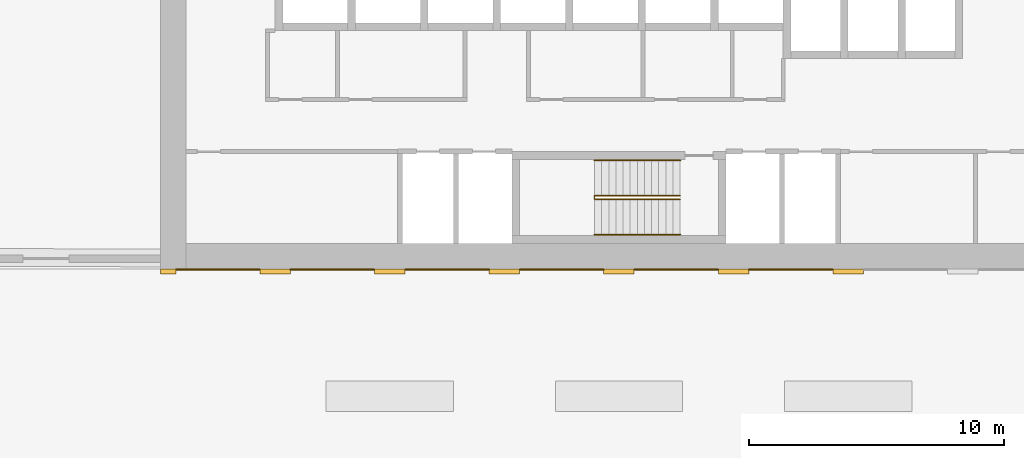
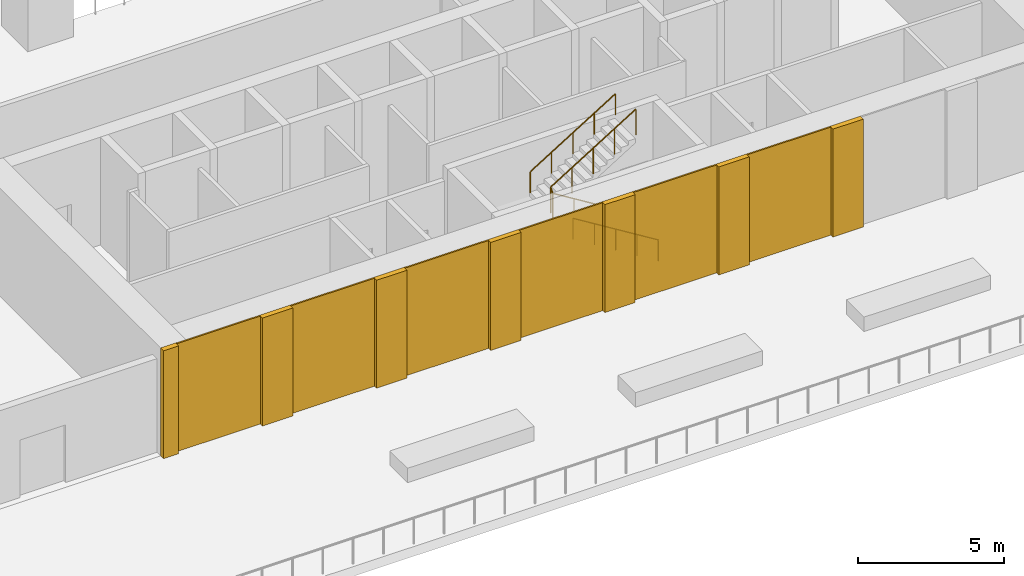
# One storey, part 17 of 19: 13 coverings, 3 railings.
"""IFC4 building model written with IfcOpenShell, lengths in metres."""

from ifc_helpers import new_model, si_unit, direction, frame, origin, origin_2d, place, context, subcontext, project, spatial, rectangle, circle, extrude, material, layer, layer_set, type_object, element, save


model = new_model("IFC4")

# Units and contexts
model_context = context("Model", 3, precision=1e-05, world=origin(), true_north=direction((0.0, 1.0)))
body_context = subcontext(model_context, "Body", "Model", "MODEL_VIEW")
ifc_project = project(units=[si_unit("LENGTHUNIT", "METRE"), si_unit("AREAUNIT", "SQUARE_METRE"), si_unit("VOLUMEUNIT", "CUBIC_METRE"), si_unit("PLANEANGLEUNIT", "RADIAN"), si_unit("MASSUNIT", "GRAM", prefix="KILO")], contexts=[model_context])

# Site, building, storey
site_placement = place(None, origin())
site = spatial("IfcSite", under=ifc_project, at=site_placement, CompositionType="ELEMENT")
building_placement = place(site_placement, origin())
building = spatial("IfcBuilding", under=site, at=building_placement, Name="Brigalow Station Residences", CompositionType="ELEMENT")
storey_placement = place(building_placement, frame((0.0, 0.0, 11.0)))
storey = spatial("IfcBuildingStorey", under=building, at=storey_placement, Name="L02", CompositionType="ELEMENT", Elevation=11.0)

# Coverings
ifc_material_1 = material(Name="Clay brick masonry", Category="masonry")
ifc_layer_1 = layer(ifc_material_1, 0.06005859375)
ifc_layer_set_1 = layer_set([ifc_layer_1], Name="BRICK PANEL FACING 60")
covering_type_1 = type_object("IfcCoveringType", Name="BRICK PANEL FACING 60", PredefinedType="CLADDING", material=ifc_layer_set_1)
for number, where, z_axis, x_axis, name in (
    (1, (20.25, -0.030029296875, 0.0), (0.0, 0.0, 1.0), (1.0, 0.0, 0.0), "L02/rear-facing/panel-1"),
    (2, (24.75, -0.030029296875, 0.0), (0.0, 0.0, 1.0), (1.0, 0.0, 0.0), "L02/rear-facing/panel-2"),
    (3, (29.25, -0.030029296875, 0.0), (0.0, 0.0, 1.0), (1.0, 0.0, 0.0), "L02/rear-facing/panel-3"),
    (4, (33.75, -0.030029296875, 0.0), (0.0, 0.0, 1.0), (1.0, 0.0, 0.0), "L02/rear-facing/panel-4"),
    (5, (38.25, -0.030029296875, 0.0), (0.0, 0.0, 1.0), (1.0, 0.0, 0.0), "L02/rear-facing/panel-5"),
    (6, (42.75, -0.030029296875, 0.0), (0.0, 0.0, 1.0), (1.0, 0.0, 0.0), "L02/rear-facing/panel-6"),
):
    element("IfcCovering", number, at=place(storey_placement, frame(where, z_axis=z_axis, x_axis=x_axis)), inside=storey, type_object=covering_type_1, Name=name, PredefinedType="CLADDING", context=body_context, shape_type="SweptSolid", body=[
        extrude(rectangle(XDim=3.300048828125, YDim=0.06005859375, at=origin_2d()), origin(), (0.0, 0.0, 1.0), 4.5),
    ])
ifc_material_2 = material(Name="Clay brick masonry", Category="masonry")
ifc_layer_2 = layer(ifc_material_2, 0.199951171875)
ifc_layer_set_2 = layer_set([ifc_layer_2], Name="BRICK PIER FACING 200")
covering_type_2 = type_object("IfcCoveringType", Name="BRICK PIER FACING 200", PredefinedType="CLADDING", material=ifc_layer_set_2)
covering_placement = place(storey_placement, frame((18.300048828125, -0.10009765625, 0.0), z_axis=(0.0, 0.0, 1.0), x_axis=(1.0, 0.0, 0.0)))
element("IfcCovering", 7, at=covering_placement, inside=storey, type_object=covering_type_2, Name="L02/rear-facing/pier-1", PredefinedType="CLADDING", context=body_context, shape_type="SweptSolid", body=[
    extrude(rectangle(XDim=0.60009765625, YDim=0.199951171875, at=origin_2d()), origin(), (0.0, 0.0, 1.0), 4.5),
])
for number, where, z_axis, x_axis, name in (
    (8, (22.5, -0.10009765625, 0.0), (0.0, 0.0, 1.0), (1.0, 0.0, 0.0), "L02/rear-facing/pier-2"),
    (9, (27.0, -0.10009765625, 0.0), (0.0, 0.0, 1.0), (1.0, 0.0, 0.0), "L02/rear-facing/pier-3"),
    (10, (31.5, -0.10009765625, 0.0), (0.0, 0.0, 1.0), (1.0, 0.0, 0.0), "L02/rear-facing/pier-4"),
    (11, (36.0, -0.10009765625, 0.0), (0.0, 0.0, 1.0), (1.0, 0.0, 0.0), "L02/rear-facing/pier-5"),
    (12, (40.5, -0.10009765625, 0.0), (0.0, 0.0, 1.0), (1.0, 0.0, 0.0), "L02/rear-facing/pier-6"),
    (13, (45.0, -0.10009765625, 0.0), (0.0, 0.0, 1.0), (1.0, 0.0, 0.0), "L02/rear-facing/pier-7"),
):
    element("IfcCovering", number, at=place(storey_placement, frame(where, z_axis=z_axis, x_axis=x_axis)), inside=storey, type_object=covering_type_2, Name=name, PredefinedType="CLADDING", context=body_context, shape_type="SweptSolid", body=[
        extrude(rectangle(XDim=1.199951171875, YDim=0.199951171875, at=origin_2d()), origin(), (0.0, 0.0, 1.0), 4.5),
    ])

# Railings
ifc_material_3 = material(Name="Stainless steel balustrade", Category="steel")
railing_type_1 = type_object("IfcRailingType", Name="STAIR GUARD 1100", PredefinedType="GUARDRAIL", material=ifc_material_3)
railing_1_placement = place(storey_placement, frame((38.39990234375, 2.72998046875, 0.173095703125)))
element("IfcRailing", 14, at=railing_1_placement, inside=storey, type_object=railing_type_1, Name="GUARD GR-2", PredefinedType="GUARDRAIL", context=body_context, shape_type="SweptSolid", body=[
    extrude(circle(Radius=0.02392578125, at=origin_2d()), frame((0.0, 0.0, 1.076171875), z_axis=(-0.850606129759, 0.0, 0.525803396734), x_axis=(0.0, -1.0, 0.0)), (0.0, 0.0, 1.0), 3.949951171875),
    extrude(circle(Radius=0.02392578125, at=origin_2d()), frame((-3.35986328125, 0.0, 3.15283203125), z_axis=(0.0, 0.62922976322, 0.777219341678), x_axis=(-1.0, 0.0, 0.0)), (0.0, 0.0, 1.0), 0.22265625),
    extrude(circle(Radius=0.02392578125, at=origin_2d()), frame((-3.35986328125, 0.14013671875, 3.326171875), z_axis=(0.850606129759, 0.0, 0.525803396734), x_axis=(0.0, 1.0, 0.0)), (0.0, 0.0, 1.0), 3.949951171875),
    extrude(circle(Radius=0.02099609375, at=origin_2d()), origin(), (0.0, 0.0, 1.0), 1.052001953125),
    extrude(circle(Radius=0.02099609375, at=origin_2d()), frame((-0.83984375, 0.0, 0.519287109375)), (0.0, 0.0, 1.0), 1.052001953125),
    extrude(circle(Radius=0.02099609375, at=origin_2d()), frame((-1.679931640625, 0.0, 1.03857421875)), (0.0, 0.0, 1.0), 1.052001953125),
    extrude(circle(Radius=0.02099609375, at=origin_2d()), frame((-2.52001953125, 0.0, 1.5576171875)), (0.0, 0.0, 1.0), 1.052001953125),
    extrude(circle(Radius=0.02099609375, at=origin_2d()), frame((-3.35986328125, 0.0, 2.076904296875)), (0.0, 0.0, 1.0), 1.052001953125),
    extrude(circle(Radius=0.02099609375, at=origin_2d()), frame((-3.35986328125, 0.14013671875, 2.25)), (0.0, 0.0, 1.0), 1.052001953125),
    extrude(circle(Radius=0.02099609375, at=origin_2d()), frame((-2.52001953125, 0.14013671875, 2.769287109375)), (0.0, 0.0, 1.0), 1.052001953125),
    extrude(circle(Radius=0.02099609375, at=origin_2d()), frame((-1.679931640625, 0.14013671875, 3.28857421875)), (0.0, 0.0, 1.0), 1.052001953125),
    extrude(circle(Radius=0.02099609375, at=origin_2d()), frame((-0.83984375, 0.14013671875, 3.8076171875)), (0.0, 0.0, 1.0), 1.052001953125),
    extrude(circle(Radius=0.02099609375, at=origin_2d()), frame((0.0, 0.14013671875, 4.326904296875)), (0.0, 0.0, 1.0), 1.052001953125),
])
ifc_material_4 = material(Name="Stainless steel handrail", Category="steel")
railing_type_2 = type_object("IfcRailingType", Name="STAIR HANDRAIL 900", PredefinedType="HANDRAIL", material=ifc_material_4)
railing_2_placement = place(storey_placement, frame((38.39990234375, 1.340087890625, 0.173095703125)))
element("IfcRailing", 15, at=railing_2_placement, inside=storey, type_object=railing_type_2, Name="HANDRAIL HR-21", PredefinedType="HANDRAIL", context=body_context, shape_type="SweptSolid", body=[
    extrude(circle(Radius=0.02392578125, at=origin_2d()), frame((0.0, 0.0, 0.8759765625), z_axis=(-0.850606129759, 0.0, 0.525803396734), x_axis=(0.0, -1.0, 0.0)), (0.0, 0.0, 1.0), 3.949951171875),
    extrude(circle(Radius=0.02099609375, at=origin_2d()), origin(), (0.0, 0.0, 1.0), 0.851806640625),
    extrude(circle(Radius=0.02099609375, at=origin_2d()), frame((-0.83984375, 0.0, 0.519287109375)), (0.0, 0.0, 1.0), 0.851806640625),
    extrude(circle(Radius=0.02099609375, at=origin_2d()), frame((-1.679931640625, 0.0, 1.03857421875)), (0.0, 0.0, 1.0), 0.851806640625),
    extrude(circle(Radius=0.02099609375, at=origin_2d()), frame((-2.52001953125, 0.0, 1.5576171875)), (0.0, 0.0, 1.0), 0.851806640625),
    extrude(circle(Radius=0.02099609375, at=origin_2d()), frame((-3.35986328125, 0.0, 2.076904296875)), (0.0, 0.0, 1.0), 0.851806640625),
])
railing_3_placement = place(storey_placement, frame((35.0400390625, 4.260009765625, 2.423095703125)))
element("IfcRailing", 16, at=railing_3_placement, inside=storey, type_object=railing_type_2, Name="HANDRAIL HR-22", PredefinedType="HANDRAIL", context=body_context, shape_type="SweptSolid", body=[
    extrude(circle(Radius=0.02392578125, at=origin_2d()), frame((0.0, 0.0, 0.8759765625), z_axis=(0.850606129759, 0.0, 0.525803396734), x_axis=(0.0, 1.0, 0.0)), (0.0, 0.0, 1.0), 3.949951171875),
    extrude(circle(Radius=0.02099609375, at=origin_2d()), origin(), (0.0, 0.0, 1.0), 0.851806640625),
    extrude(circle(Radius=0.02099609375, at=origin_2d()), frame((0.83984375, 0.0, 0.519287109375)), (0.0, 0.0, 1.0), 0.851806640625),
    extrude(circle(Radius=0.02099609375, at=origin_2d()), frame((1.679931640625, 0.0, 1.03857421875)), (0.0, 0.0, 1.0), 0.851806640625),
    extrude(circle(Radius=0.02099609375, at=origin_2d()), frame((2.52001953125, 0.0, 1.5576171875)), (0.0, 0.0, 1.0), 0.851806640625),
    extrude(circle(Radius=0.02099609375, at=origin_2d()), frame((3.35986328125, 0.0, 2.076904296875)), (0.0, 0.0, 1.0), 0.851806640625),
])

save(model, "model.ifc")
